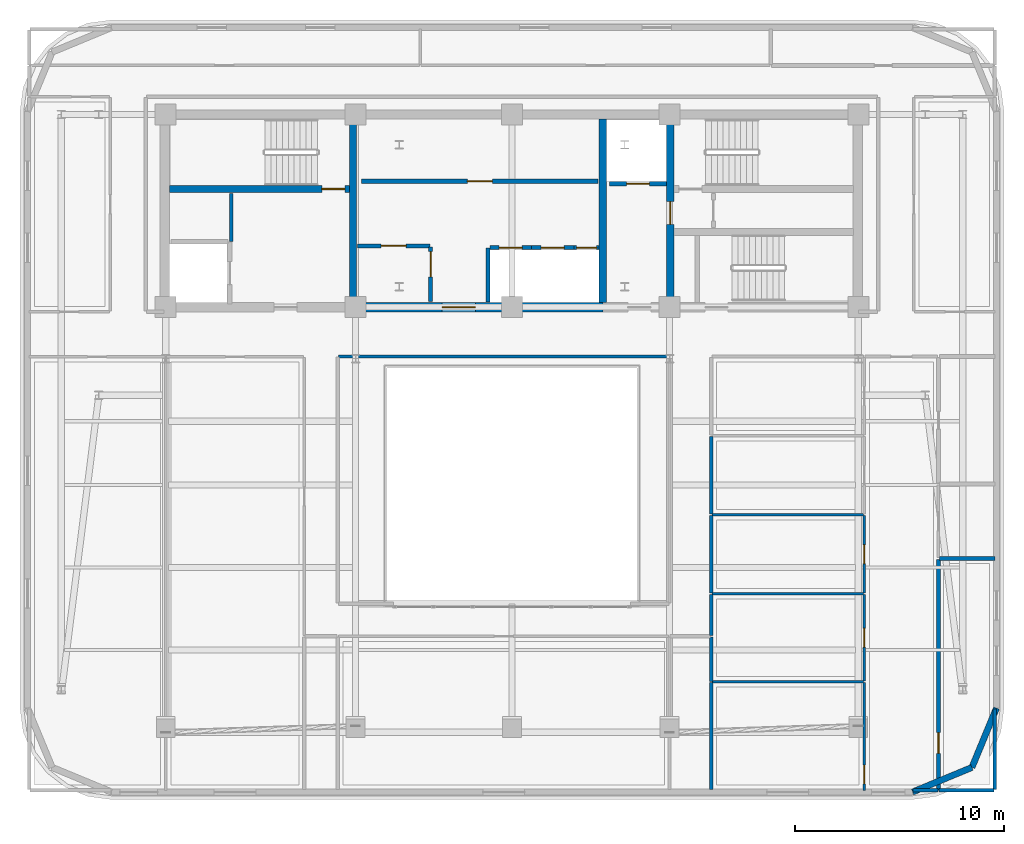
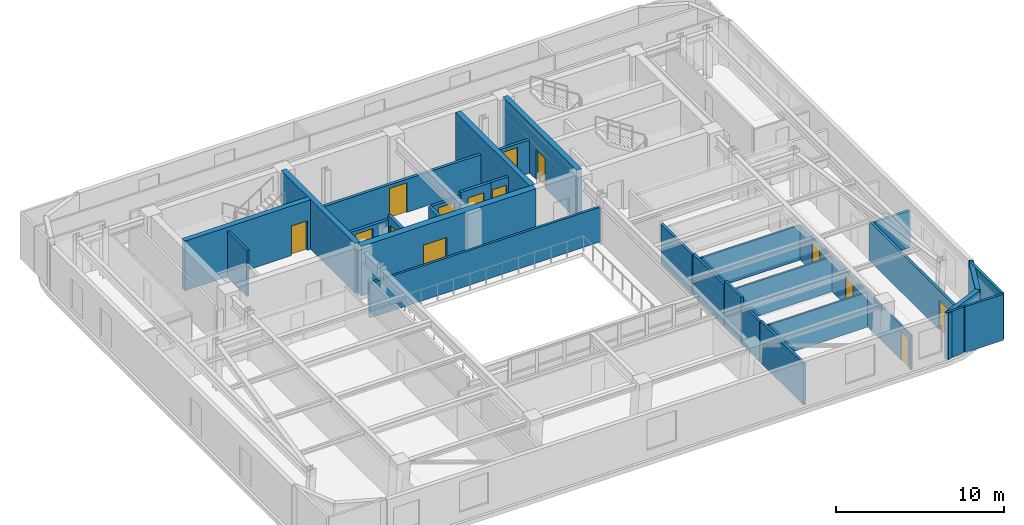
# One storey, part 7 of 13: 33 walls, 14 doors, 14 openings.
"""IFC4 building model written with IfcOpenShell, lengths in metres."""

from ifc_helpers import new_model, si_unit, direction, frame, frame_2d, origin, place, context, subcontext, project, spatial, rectangle, extrude, material, layer, layer_set, type_object, element, fill, save


model = new_model("IFC4")

# Units and contexts
model_context = context("Model", 3, precision=1e-05, world=origin(), true_north=direction((0.0, 1.0)))
body_context = subcontext(model_context, "Body", "Model", "MODEL_VIEW")
ifc_project = project(units=[si_unit("LENGTHUNIT", "METRE"), si_unit("AREAUNIT", "SQUARE_METRE"), si_unit("VOLUMEUNIT", "CUBIC_METRE"), si_unit("PLANEANGLEUNIT", "RADIAN"), si_unit("MASSUNIT", "GRAM", prefix="KILO")], contexts=[model_context])

# Site, building, storey
site_placement = place(None, origin())
site = spatial("IfcSite", under=ifc_project, at=site_placement, CompositionType="ELEMENT")
building_placement = place(site_placement, origin())
building = spatial("IfcBuilding", under=site, at=building_placement, Name="Zarnavel Station Tower", CompositionType="ELEMENT")
storey_placement = place(building_placement, frame((0.0, 0.0, 204.0)))
storey = spatial("IfcBuildingStorey", under=building, at=storey_placement, Name="L55", CompositionType="ELEMENT", Elevation=204.0)

# Walls
ifc_material_1 = material(Name="Concrete C50/60", Category="concrete")
ifc_layer_1 = layer(ifc_material_1, 0.35009765625)
ifc_layer_set_1 = layer_set([ifc_layer_1], Name="CW_350")
wall_type_1 = type_object("IfcWallType", Name="CW_350", PredefinedType="SHEAR", material=ifc_layer_set_1)
for number, where, z_axis, x_axis, name in (
    (1, (21.179931640625, 28.044921875, 0.0), (0.0, 0.0, 1.0), (0.0, 1.0, 0.0), "L55 Rear Core Shear Wall DIV-W"),
    (2, (33.14990234375, 28.044921875, 0.0), (0.0, 0.0, 1.0), (0.0, 1.0, 0.0), "L55 Rear Core Shear Wall DIV-E"),
):
    element("IfcWall", number, at=place(storey_placement, frame(where, z_axis=z_axis, x_axis=x_axis)), inside=storey, type_object=wall_type_1, Name=name, PredefinedType="SHEAR", context=body_context, shape_type="SweptSolid", body=[
        extrude(rectangle(XDim=8.780029296875, YDim=0.35009765625, at=frame_2d((4.39013671875, 0.0))), origin(), (0.0, 0.0, 1.0), 3.60009765625),
    ])

# Wall, opening, door
wall_1_placement = place(storey_placement, frame((36.3798828125, 28.044921875, 0.0), z_axis=(0.0, 0.0, 1.0), x_axis=(0.0, 1.0, 0.0)))
wall_1 = element("IfcWall", 3, at=wall_1_placement, inside=storey, type_object=wall_type_1, Name="L55 Rear Core Shear Wall DIV-S2", PredefinedType="SHEAR", context=body_context, shape_type="SweptSolid", body=[
    extrude(rectangle(XDim=8.780029296875, YDim=0.35009765625, at=frame_2d((4.39013671875, 0.0))), origin(), (0.0, 0.0, 1.0), 3.60009765625),
])
opening_1_placement = place(wall_1_placement, frame((3.735107421875, 0.0, 0.0)))
opening_1 = element("IfcOpeningElement", 4, at=opening_1_placement, cuts=wall_1, Name="Opening FD01", PredefinedType="OPENING", context=body_context, shape_type="SweptSolid", body=[
    extrude(rectangle(XDim=1.10009765625, YDim=2.14990234375, at=frame_2d((0.550048828125, 1.074951171875))), frame((0.0, 0.18505859375, 0.0), z_axis=(0.0, -1.0, 0.0), x_axis=(1.0, 0.0, 0.0)), (0.0, 0.0, 1.0), 0.3701171875),
])
ifc_material_2 = material(Name="Painted Galvanised Steel and Hardwood Leaf", Category="steel")
door_type_1 = type_object("IfcDoorType", Name="ID_STAIR_1100", OperationType="NOTDEFINED", PredefinedType="DOOR", material=ifc_material_2)
door_1_placement = place(opening_1_placement, origin())
door_1 = element("IfcDoor", 5, at=door_1_placement, inside=storey, type_object=door_type_1, Name="L55 East Stair Vestibule Fire Door", OperationType="SINGLE_SWING_LEFT", OverallHeight=2.14990234375, OverallWidth=1.10009765625, PredefinedType="DOOR", context=body_context, shape_type="SweptSolid", body=[
    extrude(rectangle(XDim=1.10009765625, YDim=2.14990234375, at=frame_2d((0.550048828125, 1.074951171875))), frame((0.0, 0.02490234375, 0.0), z_axis=(0.0, -1.0, 0.0), x_axis=(1.0, 0.0, 0.0)), (0.0, 0.0, 1.0), 0.050048828125),
])
fill(opening_1, door_1)

wall_2_placement = place(storey_placement, frame((21.0048828125, 33.47998046875, 0.0), z_axis=(0.0, 0.0, 1.0), x_axis=(-1.0, 0.0, 0.0)))
wall_2 = element("IfcWall", 6, at=wall_2_placement, inside=storey, type_object=wall_type_1, Name="L55 Rear Core Shear Wall DIV-H1", PredefinedType="SHEAR", context=body_context, shape_type="SweptSolid", body=[
    extrude(rectangle(XDim=8.6298828125, YDim=0.35009765625, at=frame_2d((4.31494140625, 0.0))), origin(), (0.0, 0.0, 1.0), 3.60009765625),
])
opening_2_placement = place(wall_2_placement, frame((0.219970703125, 0.0, 0.0)))
opening_2 = element("IfcOpeningElement", 7, at=opening_2_placement, cuts=wall_2, Name="Opening FD01", PredefinedType="OPENING", context=body_context, shape_type="SweptSolid", body=[
    extrude(rectangle(XDim=1.10009765625, YDim=2.14990234375, at=frame_2d((0.550048828125, 1.074951171875))), frame((0.0, 0.18505859375, 0.0), z_axis=(0.0, -1.0, 0.0), x_axis=(1.0, 0.0, 0.0)), (0.0, 0.0, 1.0), 0.3701171875),
])
door_2_placement = place(opening_2_placement, origin())
door_2 = element("IfcDoor", 8, at=door_2_placement, inside=storey, type_object=door_type_1, Name="L55 Stair ST1 Lobby Fire Door", OperationType="SINGLE_SWING_LEFT", OverallHeight=2.14990234375, OverallWidth=1.10009765625, PredefinedType="DOOR", context=body_context, shape_type="SweptSolid", body=[
    extrude(rectangle(XDim=1.10009765625, YDim=2.14990234375, at=frame_2d((0.550048828125, 1.074951171875))), frame((0.0, 0.02490234375, 0.0), z_axis=(0.0, -1.0, 0.0), x_axis=(1.0, 0.0, 0.0)), (0.0, 0.0, 1.0), 0.050048828125),
])
fill(opening_2, door_2)

ifc_material_3 = material(Name="Concrete C50/60", Category="concrete")
ifc_layer_2 = layer(ifc_material_3, 0.449951171875)
ifc_layer_set_2 = layer_set([ifc_layer_2], Name="CW_450")
wall_type_2 = type_object("IfcWallType", Name="CW_450", PredefinedType="SHEAR", material=ifc_layer_set_2)
wall_3_placement = place(storey_placement, frame((33.14990234375, 27.820068359375, 0.0), z_axis=(0.0, 0.0, 1.0), x_axis=(-1.0, 0.0, 0.0)))
wall_3 = element("IfcWall", 9, at=wall_3_placement, inside=storey, type_object=wall_type_2, Name="L55 Rear Core Shear Wall S-M", PredefinedType="SHEAR", context=body_context, shape_type="SweptSolid", body=[
    extrude(rectangle(XDim=11.969970703125, YDim=0.449951171875, at=frame_2d((5.98486328125, 0.0))), origin(), (0.0, 0.0, 1.0), 3.60009765625),
])
opening_3_placement = place(wall_3_placement, frame((6.10009765625, 0.0, 0.0)))
opening_3 = element("IfcOpeningElement", 10, at=opening_3_placement, cuts=wall_3, Name="Opening ID03", PredefinedType="OPENING", context=body_context, shape_type="SweptSolid", body=[
    extrude(rectangle(XDim=1.60009765625, YDim=2.199951171875, at=frame_2d((0.800048828125, 1.10009765625))), frame((0.0, 0.23486328125, 0.0), z_axis=(0.0, -1.0, 0.0), x_axis=(1.0, 0.0, 0.0)), (0.0, 0.0, 1.0), 0.469970703125),
])
ifc_material_4 = material(Name="Painted Galvanised Steel and Hardwood Leaf", Category="steel")
door_type_2 = type_object("IfcDoorType", Name="ID_PUBLIC_1600", OperationType="DOUBLE_DOOR_SINGLE_SWING", PredefinedType="DOOR", material=ifc_material_4)
door_3_placement = place(opening_3_placement, origin())
door_3 = element("IfcDoor", 11, at=door_3_placement, inside=storey, type_object=door_type_2, Name="L55 Passenger Lift Lobby Double Door", OperationType="SINGLE_SWING_LEFT", OverallHeight=2.199951171875, OverallWidth=1.60009765625, PredefinedType="DOOR", context=body_context, shape_type="SweptSolid", body=[
    extrude(rectangle(XDim=1.60009765625, YDim=2.199951171875, at=frame_2d((0.800048828125, 1.10009765625))), frame((0.0, 0.02490234375, 0.0), z_axis=(0.0, -1.0, 0.0), x_axis=(1.0, 0.0, 0.0)), (0.0, 0.0, 1.0), 0.050048828125),
])
fill(opening_3, door_3)

# Walls
ifc_material_5 = material(Name="Precast concrete C45/55 (Dark Basalt Finish)", Category="masonry")
ifc_layer_3 = layer(ifc_material_5, 0.300048828125)
ifc_layer_set_3 = layer_set([ifc_layer_3], Name="EW_BASALT_300")
wall_type_3 = type_object("IfcWallType", Name="EW_BASALT_300", PredefinedType="SOLIDWALL", material=ifc_layer_set_3)
wall_4_placement = place(storey_placement, frame((50.842529296875, 5.75732421875, 0.0), z_axis=(0.0, 0.0, 1.0), x_axis=(-0.92389884758, -0.382636798336, 0.0)))
element("IfcWall", 12, at=wall_4_placement, inside=storey, type_object=wall_type_3, Name="L55 Exterior Basalt Masonry Frame Wall 01", PredefinedType="SOLIDWALL", context=body_context, shape_type="SweptSolid", body=[
    extrude(rectangle(XDim=3.07666015625, YDim=0.300048828125, at=frame_2d((1.538330078125, 0.0))), origin(), (0.0, 0.0, 1.0), 3.340087890625),
])
wall_5_placement = place(storey_placement, frame((52.02001953125, 8.60009765625, 0.0), z_axis=(0.0, 0.0, 1.0), x_axis=(-0.382676475685, -0.923882414032, 0.0)))
element("IfcWall", 13, at=wall_5_placement, inside=storey, type_object=wall_type_3, Name="L55 Exterior Basalt Masonry Frame Wall 02", PredefinedType="SOLIDWALL", context=body_context, shape_type="SweptSolid", body=[
    extrude(rectangle(XDim=3.076904296875, YDim=0.300048828125, at=frame_2d((1.53857421875, 0.0))), origin(), (0.0, 0.0, 1.0), 3.340087890625),
])
ifc_material_6 = material(Name="Gypsum Twin-Stud Acoustic Fire Partition", Category="concrete")
ifc_layer_4 = layer(ifc_material_6, 0.159912109375)
ifc_layer_set_4 = layer_set([ifc_layer_4], Name="PT_DEMISE_160")
wall_type_4 = type_object("IfcWallType", Name="PT_DEMISE_160", PredefinedType="PARTITIONING", material=ifc_layer_set_4)
wall_6_placement = place(storey_placement, frame((38.35009765625, 12.090087890625, 0.0), z_axis=(0.0, 0.0, 1.0), x_axis=(0.0, 1.0, 0.0)))
element("IfcWall", 14, at=wall_6_placement, inside=storey, type_object=wall_type_4, Name="L55 Partition COR-AE-UE1B2", PredefinedType="PARTITIONING", context=body_context, shape_type="SweptSolid", body=[
    extrude(rectangle(XDim=1.954833984375, YDim=0.159912109375, at=frame_2d((0.9775390625, 0.0))), origin(), (0.0, 0.0, 1.0), 3.340087890625),
])
wall_7_placement = place(storey_placement, frame((38.35009765625, 14.125, 0.0), z_axis=(0.0, 0.0, 1.0), x_axis=(0.0, 1.0, 0.0)))
element("IfcWall", 15, at=wall_7_placement, inside=storey, type_object=wall_type_4, Name="L55 Partition COR-AE-UE1B3", PredefinedType="PARTITIONING", context=body_context, shape_type="SweptSolid", body=[
    extrude(rectangle(XDim=3.7080078125, YDim=0.159912109375, at=frame_2d((1.85400390625, 0.0))), origin(), (0.0, 0.0, 1.0), 3.010009765625),
])
wall_8_placement = place(storey_placement, frame((38.35009765625, 17.9130859375, 0.0), z_axis=(0.0, 0.0, 1.0), x_axis=(0.0, 1.0, 0.0)))
element("IfcWall", 16, at=wall_8_placement, inside=storey, type_object=wall_type_4, Name="L55 Partition COR-AE-UE1B4", PredefinedType="PARTITIONING", context=body_context, shape_type="SweptSolid", body=[
    extrude(rectangle(XDim=3.7080078125, YDim=0.159912109375, at=frame_2d((1.85400390625, 0.0))), origin(), (0.0, 0.0, 1.0), 2.8798828125),
])
wall_9_placement = place(storey_placement, frame((15.35009765625, 30.9599609375, 0.0), z_axis=(0.0, 0.0, 1.0), x_axis=(0.0, 1.0, 0.0)))
element("IfcWall", 17, at=wall_9_placement, inside=storey, type_object=wall_type_4, Name="L55 Enclosure Wall FFL1", PredefinedType="PARTITIONING", context=body_context, shape_type="SweptSolid", body=[
    extrude(rectangle(XDim=2.31005859375, YDim=0.159912109375, at=frame_2d((1.155029296875, 0.0))), origin(), (0.0, 0.0, 1.0), 3.340087890625),
])
wall_10_placement = place(storey_placement, frame((20.47998046875, 25.449951171875, 0.0), z_axis=(0.0, 0.0, 1.0), x_axis=(1.0, 0.0, 0.0)))
element("IfcWall", 18, at=wall_10_placement, inside=storey, type_object=wall_type_4, Name="L55 Enclosure Wall COR-S", PredefinedType="PARTITIONING", context=body_context, shape_type="SweptSolid", body=[
    extrude(rectangle(XDim=15.840087890625, YDim=0.159912109375, at=frame_2d((7.919921875, 0.0))), origin(), (0.0, 0.0, 1.0), 2.52001953125),
])
wall_11_placement = place(storey_placement, frame((48.030029296875, 4.659912109375, 0.0), z_axis=(0.0, 0.0, 1.0), x_axis=(1.0, 0.0, 0.0)))
element("IfcWall", 19, at=wall_11_placement, inside=storey, type_object=wall_type_4, Name="L55 Enclosure Wall UE1LV", PredefinedType="PARTITIONING", context=body_context, shape_type="SweptSolid", body=[
    extrude(rectangle(XDim=1.179931640625, YDim=0.159912109375, at=frame_2d((0.58984375, 0.0))), origin(), (0.0, 0.0, 1.0), 3.340087890625),
])
wall_12_placement = place(storey_placement, frame((49.27001953125, 4.659912109375, 0.0), z_axis=(0.0, 0.0, 1.0), x_axis=(1.0, 0.0, 0.0)))
element("IfcWall", 20, at=wall_12_placement, inside=storey, type_object=wall_type_4, Name="L55 Enclosure Wall UE1KT", PredefinedType="PARTITIONING", context=body_context, shape_type="SweptSolid", body=[
    extrude(rectangle(XDim=2.639892578125, YDim=0.159912109375, at=frame_2d((1.31982421875, 0.0))), origin(), (0.0, 0.0, 1.0), 3.340087890625),
])
wall_13_placement = place(storey_placement, frame((51.93994140625, 4.68994140625, 0.0), z_axis=(0.0, 0.0, 1.0), x_axis=(0.0, 1.0, 0.0)))
element("IfcWall", 21, at=wall_13_placement, inside=storey, type_object=wall_type_4, Name="L55 Enclosure Wall UE1KT", PredefinedType="PARTITIONING", context=body_context, shape_type="SweptSolid", body=[
    extrude(rectangle(XDim=3.880126953125, YDim=0.159912109375, at=frame_2d((1.93994140625, 0.0))), origin(), (0.0, 0.0, 1.0), 3.340087890625),
])
wall_14_placement = place(storey_placement, frame((38.35009765625, 4.68994140625, 0.0), z_axis=(0.0, 0.0, 1.0), x_axis=(0.0, 1.0, 0.0)))
element("IfcWall", 22, at=wall_14_placement, inside=storey, type_object=wall_type_4, Name="L55 Enclosure Wall UE1B1", PredefinedType="PARTITIONING", context=body_context, shape_type="SweptSolid", body=[
    extrude(rectangle(XDim=5.136962890625, YDim=0.159912109375, at=frame_2d((2.568359375, 0.0))), origin(), (0.0, 0.0, 1.0), 3.0),
])
wall_15_placement = place(storey_placement, frame((38.35009765625, 9.886962890625, 0.0), z_axis=(0.0, 0.0, 1.0), x_axis=(0.0, 1.0, 0.0)))
element("IfcWall", 23, at=wall_15_placement, inside=storey, type_object=wall_type_4, Name="L55 Enclosure Wall UE1B2", PredefinedType="PARTITIONING", context=body_context, shape_type="SweptSolid", body=[
    extrude(rectangle(XDim=2.133056640625, YDim=0.159912109375, at=frame_2d((1.06640625, 0.0))), origin(), (0.0, 0.0, 1.0), 2.8798828125),
])

# Wall, opening, door
ifc_material_7 = material(Name="Gypsum Metal-Stud Interior Partition", Category="concrete")
ifc_layer_5 = layer(ifc_material_7, 0.1201171875)
ifc_layer_set_5 = layer_set([ifc_layer_5], Name="PT_ROOM_120")
wall_type_5 = type_object("IfcWallType", Name="PT_ROOM_120", PredefinedType="PARTITIONING", material=ifc_layer_set_5)
wall_16_placement = place(storey_placement, frame((45.680908203125, 4.659912109375, 0.0), z_axis=(0.0, 0.0, 1.0), x_axis=(0.0, 1.0, 0.0)))
wall_16 = element("IfcWall", 24, at=wall_16_placement, inside=storey, type_object=wall_type_5, Name="L55 Partition UE1LV-UE1B1", PredefinedType="PARTITIONING", context=body_context, shape_type="SweptSolid", body=[
    extrude(rectangle(XDim=5.156982421875, YDim=0.1201171875, at=frame_2d((2.57861328125, 0.0))), origin(), (0.0, 0.0, 1.0), 2.52001953125),
])
opening_4_placement = place(wall_16_placement, frame((0.3056640625, 0.0, 0.0)))
opening_4 = element("IfcOpeningElement", 25, at=opening_4_placement, cuts=wall_16, Name="Opening ID01", PredefinedType="OPENING", context=body_context, shape_type="SweptSolid", body=[
    extrude(rectangle(XDim=0.89990234375, YDim=2.10009765625, at=frame_2d((0.449951171875, 1.050048828125))), frame((0.0, 0.070068359375, 0.0), z_axis=(0.0, -1.0, 0.0), x_axis=(1.0, 0.0, 0.0)), (0.0, 0.0, 1.0), 0.14013671875),
])
ifc_material_8 = material(Name="Painted Galvanised Steel and Hardwood Leaf", Category="steel")
door_type_3 = type_object("IfcDoorType", Name="ID_ROOM_900", OperationType="NOTDEFINED", PredefinedType="DOOR", material=ifc_material_8)
door_4_placement = place(opening_4_placement, origin())
door_4 = element("IfcDoor", 26, at=door_4_placement, inside=storey, type_object=door_type_3, Name="L55 Door UE1LV-UE1B1", OperationType="SINGLE_SWING_LEFT", OverallHeight=2.10009765625, OverallWidth=0.89990234375, PredefinedType="DOOR", context=body_context, shape_type="SweptSolid", body=[
    extrude(rectangle(XDim=0.89990234375, YDim=2.10009765625, at=frame_2d((0.449951171875, 1.050048828125))), frame((0.0, 0.02490234375, 0.0), z_axis=(0.0, -1.0, 0.0), x_axis=(1.0, 0.0, 0.0)), (0.0, 0.0, 1.0), 0.050048828125),
])
fill(opening_4, door_4)

wall_17_placement = place(storey_placement, frame((45.680908203125, 9.89697265625, 0.0), z_axis=(0.0, 0.0, 1.0), x_axis=(0.0, 1.0, 0.0)))
wall_17 = element("IfcWall", 27, at=wall_17_placement, inside=storey, type_object=wall_type_5, Name="L55 Partition UE1LV-UE1B2", PredefinedType="PARTITIONING", context=body_context, shape_type="SweptSolid", body=[
    extrude(rectangle(XDim=4.14794921875, YDim=0.1201171875, at=frame_2d((2.073974609375, 0.0))), origin(), (0.0, 0.0, 1.0), 2.52001953125),
])
opening_5_placement = place(wall_17_placement, frame((1.6240234375, 0.0, 0.0)))
opening_5 = element("IfcOpeningElement", 28, at=opening_5_placement, cuts=wall_17, Name="Opening ID01", PredefinedType="OPENING", context=body_context, shape_type="SweptSolid", body=[
    extrude(rectangle(XDim=0.89990234375, YDim=2.10009765625, at=frame_2d((0.449951171875, 1.050048828125))), frame((0.0, 0.070068359375, 0.0), z_axis=(0.0, -1.0, 0.0), x_axis=(1.0, 0.0, 0.0)), (0.0, 0.0, 1.0), 0.14013671875),
])
door_5_placement = place(opening_5_placement, origin())
door_5 = element("IfcDoor", 29, at=door_5_placement, inside=storey, type_object=door_type_3, Name="L55 Door UE1LV-UE1B2", OperationType="SINGLE_SWING_RIGHT", OverallHeight=2.10009765625, OverallWidth=0.89990234375, PredefinedType="DOOR", context=body_context, shape_type="SweptSolid", body=[
    extrude(rectangle(XDim=0.89990234375, YDim=2.10009765625, at=frame_2d((0.449951171875, 1.050048828125))), frame((0.0, 0.02490234375, 0.0), z_axis=(0.0, -1.0, 0.0), x_axis=(1.0, 0.0, 0.0)), (0.0, 0.0, 1.0), 0.050048828125),
])
fill(opening_5, door_5)

wall_18_placement = place(storey_placement, frame((45.680908203125, 14.125, 0.0), z_axis=(0.0, 0.0, 1.0), x_axis=(0.0, 1.0, 0.0)))
wall_18 = element("IfcWall", 30, at=wall_18_placement, inside=storey, type_object=wall_type_5, Name="L55 Partition UE1LV-UE1B3", PredefinedType="PARTITIONING", context=body_context, shape_type="SweptSolid", body=[
    extrude(rectangle(XDim=3.7080078125, YDim=0.1201171875, at=frame_2d((1.85400390625, 0.0))), origin(), (0.0, 0.0, 1.0), 2.52001953125),
])
opening_6_placement = place(wall_18_placement, frame((1.404052734375, 0.0, 0.0)))
opening_6 = element("IfcOpeningElement", 31, at=opening_6_placement, cuts=wall_18, Name="Opening ID01", PredefinedType="OPENING", context=body_context, shape_type="SweptSolid", body=[
    extrude(rectangle(XDim=0.89990234375, YDim=2.10009765625, at=frame_2d((0.449951171875, 1.050048828125))), frame((0.0, 0.070068359375, 0.0), z_axis=(0.0, -1.0, 0.0), x_axis=(1.0, 0.0, 0.0)), (0.0, 0.0, 1.0), 0.14013671875),
])
door_6_placement = place(opening_6_placement, origin())
door_6 = element("IfcDoor", 32, at=door_6_placement, inside=storey, type_object=door_type_3, Name="L55 Door UE1LV-UE1B3", OperationType="SINGLE_SWING_LEFT", OverallHeight=2.10009765625, OverallWidth=0.89990234375, PredefinedType="DOOR", context=body_context, shape_type="SweptSolid", body=[
    extrude(rectangle(XDim=0.89990234375, YDim=2.10009765625, at=frame_2d((0.449951171875, 1.050048828125))), frame((0.0, 0.02490234375, 0.0), z_axis=(0.0, -1.0, 0.0), x_axis=(1.0, 0.0, 0.0)), (0.0, 0.0, 1.0), 0.050048828125),
])
fill(opening_6, door_6)

# Walls
for number, where, z_axis, x_axis, name in (
    (33, (38.389892578125, 9.85693359375, 0.0), (0.0, 0.0, 1.0), (1.0, 0.0, 0.0), "L55 Partition UE1B1-UE1B2"),
    (34, (38.389892578125, 14.0849609375, 0.0), (0.0, 0.0, 1.0), (1.0, 0.0, 0.0), "L55 Partition UE1B2-UE1B3"),
    (35, (38.389892578125, 17.873046875, 0.0), (0.0, 0.0, 1.0), (1.0, 0.0, 0.0), "L55 Partition UE1B3-UE1B4"),
):
    element("IfcWall", number, at=place(storey_placement, frame(where, z_axis=z_axis, x_axis=x_axis)), inside=storey, type_object=wall_type_5, Name=name, PredefinedType="PARTITIONING", context=body_context, shape_type="SweptSolid", body=[
        extrude(rectangle(XDim=7.251220703125, YDim=0.1201171875, at=frame_2d((3.62548828125, 0.0))), origin(), (0.0, 0.0, 1.0), 2.52001953125),
    ])

# Wall, opening, door
ifc_material_9 = material(Name="Precast concrete C45/55 (Fire Shaft Blockwork)", Category="masonry")
ifc_layer_6 = layer(ifc_material_9, 0.199951171875)
ifc_layer_set_6 = layer_set([ifc_layer_6], Name="PT_SHAFT_200")
wall_type_6 = type_object("IfcWallType", Name="PT_SHAFT_200", PredefinedType="PARTITIONING", material=ifc_layer_set_6)
wall_19_placement = place(storey_placement, frame((33.47509765625, 33.72998046875, 0.0), z_axis=(0.0, 0.0, 1.0), x_axis=(1.0, 0.0, 0.0)))
wall_19 = element("IfcWall", 36, at=wall_19_placement, inside=storey, type_object=wall_type_6, Name="L55 Lift FFL-02 Shaft Front Wall", PredefinedType="PARTITIONING", context=body_context, shape_type="SweptSolid", body=[
    extrude(rectangle(XDim=2.724853515625, YDim=0.199951171875, at=frame_2d((1.3623046875, 0.0))), origin(), (0.0, 0.0, 1.0), 2.409912109375),
])
opening_7_placement = place(wall_19_placement, frame((0.8125, 0.0, 0.0)))
opening_7 = element("IfcOpeningElement", 37, at=opening_7_placement, cuts=wall_19, Name="Opening LD01", PredefinedType="OPENING", context=body_context, shape_type="SweptSolid", body=[
    extrude(rectangle(XDim=1.10009765625, YDim=2.14990234375, at=frame_2d((0.550048828125, 1.074951171875))), frame((0.0, 0.10986328125, 0.0), z_axis=(0.0, -1.0, 0.0), x_axis=(1.0, 0.0, 0.0)), (0.0, 0.0, 1.0), 0.219970703125),
])
ifc_material_10 = material(Name="Painted Galvanised Steel and Hardwood Leaf", Category="steel")
door_type_4 = type_object("IfcDoorType", Name="LD_FF_1100", OperationType="DOUBLE_DOOR_SLIDING", PredefinedType="DOOR", material=ifc_material_10)
door_7_placement = place(opening_7_placement, origin())
door_7 = element("IfcDoor", 38, at=door_7_placement, inside=storey, type_object=door_type_4, Name="L55 Lift FFL-02 Sliding Landing Door", OperationType="DOUBLE_DOOR_SLIDING", OverallHeight=2.14990234375, OverallWidth=1.10009765625, PredefinedType="DOOR", context=body_context, shape_type="SweptSolid", body=[
    extrude(rectangle(XDim=1.10009765625, YDim=2.14990234375, at=frame_2d((0.550048828125, 1.074951171875))), frame((0.0, 0.02490234375, 0.0), z_axis=(0.0, -1.0, 0.0), x_axis=(1.0, 0.0, 0.0)), (0.0, 0.0, 1.0), 0.050048828125),
])
fill(opening_7, door_7)

wall_20_placement = place(storey_placement, frame((27.75, 30.669921875, 0.0), z_axis=(0.0, 0.0, 1.0), x_axis=(1.0, 0.0, 0.0)))
wall_20 = element("IfcWall", 39, at=wall_20_placement, inside=storey, type_object=wall_type_6, Name="L55 Lift PL-H1 Shaft Front Wall", PredefinedType="PARTITIONING", context=body_context, shape_type="SweptSolid", body=[
    extrude(rectangle(XDim=1.97509765625, YDim=0.199951171875, at=frame_2d((0.987548828125, 0.0))), origin(), (0.0, 0.0, 1.0), 2.409912109375),
])
opening_8_placement = place(wall_20_placement, frame((0.4375, 0.0, 0.0)))
opening_8 = element("IfcOpeningElement", 40, at=opening_8_placement, cuts=wall_20, Name="Opening LD02", PredefinedType="OPENING", context=body_context, shape_type="SweptSolid", body=[
    extrude(rectangle(XDim=1.10009765625, YDim=2.14990234375, at=frame_2d((0.550048828125, 1.074951171875))), frame((0.0, 0.10986328125, 0.0), z_axis=(0.0, -1.0, 0.0), x_axis=(1.0, 0.0, 0.0)), (0.0, 0.0, 1.0), 0.219970703125),
])
ifc_material_11 = material(Name="Painted Galvanised Steel and Hardwood Leaf", Category="steel")
door_type_5 = type_object("IfcDoorType", Name="LD_PAX_1100", OperationType="DOUBLE_DOOR_SLIDING", PredefinedType="DOOR", material=ifc_material_11)
door_8_placement = place(opening_8_placement, origin())
door_8 = element("IfcDoor", 41, at=door_8_placement, inside=storey, type_object=door_type_5, Name="L55 Lift PL-H1 Sliding Landing Door", OperationType="DOUBLE_DOOR_SLIDING", OverallHeight=2.14990234375, OverallWidth=1.10009765625, PredefinedType="DOOR", context=body_context, shape_type="SweptSolid", body=[
    extrude(rectangle(XDim=1.10009765625, YDim=2.14990234375, at=frame_2d((0.550048828125, 1.074951171875))), frame((0.0, 0.02490234375, 0.0), z_axis=(0.0, -1.0, 0.0), x_axis=(1.0, 0.0, 0.0)), (0.0, 0.0, 1.0), 0.050048828125),
])
fill(opening_8, door_8)

# Wall
wall_21_placement = place(storey_placement, frame((27.64990234375, 28.070068359375, 0.0), z_axis=(0.0, 0.0, 1.0), x_axis=(0.0, 1.0, 0.0)))
element("IfcWall", 42, at=wall_21_placement, inside=storey, type_object=wall_type_6, Name="L55 High-Rise Lift Bank West Shaft Wall", PredefinedType="PARTITIONING", context=body_context, shape_type="SweptSolid", body=[
    extrude(rectangle(XDim=2.579833984375, YDim=0.199951171875, at=frame_2d((1.2900390625, 0.0))), origin(), (0.0, 0.0, 1.0), 2.409912109375),
])

# Wall, opening, door
wall_22_placement = place(storey_placement, frame((29.72509765625, 30.669921875, 0.0), z_axis=(0.0, 0.0, 1.0), x_axis=(1.0, 0.0, 0.0)))
wall_22 = element("IfcWall", 43, at=wall_22_placement, inside=storey, type_object=wall_type_6, Name="L55 Lift PL-H2 Shaft Front Wall", PredefinedType="PARTITIONING", context=body_context, shape_type="SweptSolid", body=[
    extrude(rectangle(XDim=2.0498046875, YDim=0.199951171875, at=frame_2d((1.02490234375, 0.0))), origin(), (0.0, 0.0, 1.0), 2.719970703125),
])
opening_9_placement = place(wall_22_placement, frame((0.47509765625, 0.0, 0.0)))
opening_9 = element("IfcOpeningElement", 44, at=opening_9_placement, cuts=wall_22, Name="Opening LD02", PredefinedType="OPENING", context=body_context, shape_type="SweptSolid", body=[
    extrude(rectangle(XDim=1.10009765625, YDim=2.14990234375, at=frame_2d((0.550048828125, 1.074951171875))), frame((0.0, 0.10986328125, 0.0), z_axis=(0.0, -1.0, 0.0), x_axis=(1.0, 0.0, 0.0)), (0.0, 0.0, 1.0), 0.219970703125),
])
door_9_placement = place(opening_9_placement, origin())
door_9 = element("IfcDoor", 45, at=door_9_placement, inside=storey, type_object=door_type_5, Name="L55 Lift PL-H2 Sliding Landing Door", OperationType="DOUBLE_DOOR_SLIDING", OverallHeight=2.14990234375, OverallWidth=1.10009765625, PredefinedType="DOOR", context=body_context, shape_type="SweptSolid", body=[
    extrude(rectangle(XDim=1.10009765625, YDim=2.14990234375, at=frame_2d((0.550048828125, 1.074951171875))), frame((0.0, 0.02490234375, 0.0), z_axis=(0.0, -1.0, 0.0), x_axis=(1.0, 0.0, 0.0)), (0.0, 0.0, 1.0), 0.050048828125),
])
fill(opening_9, door_9)

wall_23_placement = place(storey_placement, frame((31.77490234375, 30.669921875, 0.0), z_axis=(0.0, 0.0, 1.0), x_axis=(1.0, 0.0, 0.0)))
wall_23 = element("IfcWall", 46, at=wall_23_placement, inside=storey, type_object=wall_type_6, Name="L55 Lift PL-H3 Shaft Front Wall", PredefinedType="PARTITIONING", context=body_context, shape_type="SweptSolid", body=[
    extrude(rectangle(XDim=1.2001953125, YDim=0.199951171875, at=frame_2d((0.60009765625, 0.0))), origin(), (0.0, 0.0, 1.0), 2.719970703125),
])
opening_10_placement = place(wall_23_placement, frame((0.125, 0.0, 0.0)))
opening_10 = element("IfcOpeningElement", 47, at=opening_10_placement, cuts=wall_23, Name="Opening LD03", PredefinedType="OPENING", context=body_context, shape_type="SweptSolid", body=[
    extrude(rectangle(XDim=0.949951171875, YDim=2.14990234375, at=frame_2d((0.47509765625, 1.074951171875))), frame((0.0, 0.10986328125, 0.0), z_axis=(0.0, -1.0, 0.0), x_axis=(1.0, 0.0, 0.0)), (0.0, 0.0, 1.0), 0.219970703125),
])
ifc_material_12 = material(Name="Painted Galvanised Steel and Hardwood Leaf", Category="steel")
door_type_6 = type_object("IfcDoorType", Name="LD_PAX_0950", OperationType="DOUBLE_DOOR_SLIDING", PredefinedType="DOOR", material=ifc_material_12)
door_10_placement = place(opening_10_placement, origin())
door_10 = element("IfcDoor", 48, at=door_10_placement, inside=storey, type_object=door_type_6, Name="L55 Lift PL-H3 Sliding Landing Door", OperationType="DOUBLE_DOOR_SLIDING", OverallHeight=2.14990234375, OverallWidth=0.949951171875, PredefinedType="DOOR", context=body_context, shape_type="SweptSolid", body=[
    extrude(rectangle(XDim=0.949951171875, YDim=2.14990234375, at=frame_2d((0.47509765625, 1.074951171875))), frame((0.0, 0.02490234375, 0.0), z_axis=(0.0, -1.0, 0.0), x_axis=(1.0, 0.0, 0.0)), (0.0, 0.0, 1.0), 0.050048828125),
])
fill(opening_10, door_10)

wall_24_placement = place(storey_placement, frame((21.39990234375, 30.75, 0.0), z_axis=(0.0, 0.0, 1.0), x_axis=(1.0, 0.0, 0.0)))
wall_24 = element("IfcWall", 49, at=wall_24_placement, inside=storey, type_object=wall_type_6, Name="L55 Partition LLOB-CS1", PredefinedType="PARTITIONING", context=body_context, shape_type="SweptSolid", body=[
    extrude(rectangle(XDim=3.460205078125, YDim=0.199951171875, at=frame_2d((1.72998046875, 0.0))), origin(), (0.0, 0.0, 1.0), 2.409912109375),
])
opening_11_placement = place(wall_24_placement, frame((1.1298828125, 0.0, 0.0)))
opening_11 = element("IfcOpeningElement", 50, at=opening_11_placement, cuts=wall_24, Name="Opening FD03", PredefinedType="OPENING", context=body_context, shape_type="SweptSolid", body=[
    extrude(rectangle(XDim=1.199951171875, YDim=2.14990234375, at=frame_2d((0.60009765625, 1.074951171875))), frame((0.0, 0.10986328125, 0.0), z_axis=(0.0, -1.0, 0.0), x_axis=(1.0, 0.0, 0.0)), (0.0, 0.0, 1.0), 0.219970703125),
])
ifc_material_13 = material(Name="Painted Galvanised Steel and Hardwood Leaf", Category="steel")
door_type_7 = type_object("IfcDoorType", Name="ID_PLANT_1200", OperationType="NOTDEFINED", PredefinedType="DOOR", material=ifc_material_13)
door_11_placement = place(opening_11_placement, origin())
door_11 = element("IfcDoor", 51, at=door_11_placement, inside=storey, type_object=door_type_7, Name="L55 Door LLOB-CS1", OperationType="SINGLE_SWING_LEFT", OverallHeight=2.14990234375, OverallWidth=1.199951171875, PredefinedType="DOOR", context=body_context, shape_type="SweptSolid", body=[
    extrude(rectangle(XDim=1.199951171875, YDim=2.14990234375, at=frame_2d((0.60009765625, 1.074951171875))), frame((0.0, 0.02490234375, 0.0), z_axis=(0.0, -1.0, 0.0), x_axis=(1.0, 0.0, 0.0)), (0.0, 0.0, 1.0), 0.050048828125),
])
fill(opening_11, door_11)

wall_25_placement = place(storey_placement, frame((21.590087890625, 33.85009765625, 0.0), z_axis=(0.0, 0.0, 1.0), x_axis=(1.0, 0.0, 0.0)))
wall_25 = element("IfcWall", 52, at=wall_25_placement, inside=storey, type_object=wall_type_6, Name="L55 Partition LLOB-FB2A", PredefinedType="PARTITIONING", context=body_context, shape_type="SweptSolid", body=[
    extrude(rectangle(XDim=11.33984375, YDim=0.199951171875, at=frame_2d((5.669921875, 0.0))), origin(), (0.0, 0.0, 1.0), 2.409912109375),
])
opening_12_placement = place(wall_25_placement, frame((5.070068359375, 0.0, 0.0)))
opening_12 = element("IfcOpeningElement", 53, at=opening_12_placement, cuts=wall_25, Name="Opening FD03", PredefinedType="OPENING", context=body_context, shape_type="SweptSolid", body=[
    extrude(rectangle(XDim=1.199951171875, YDim=2.14990234375, at=frame_2d((0.60009765625, 1.074951171875))), frame((0.0, 0.10986328125, 0.0), z_axis=(0.0, -1.0, 0.0), x_axis=(1.0, 0.0, 0.0)), (0.0, 0.0, 1.0), 0.219970703125),
])
door_12_placement = place(opening_12_placement, origin())
door_12 = element("IfcDoor", 54, at=door_12_placement, inside=storey, type_object=door_type_7, Name="L55 Door LLOB-FB2A", OperationType="SINGLE_SWING_RIGHT", OverallHeight=2.14990234375, OverallWidth=1.199951171875, PredefinedType="DOOR", context=body_context, shape_type="SweptSolid", body=[
    extrude(rectangle(XDim=1.199951171875, YDim=2.14990234375, at=frame_2d((0.60009765625, 1.074951171875))), frame((0.0, 0.02490234375, 0.0), z_axis=(0.0, -1.0, 0.0), x_axis=(1.0, 0.0, 0.0)), (0.0, 0.0, 1.0), 0.050048828125),
])
fill(opening_12, door_12)

wall_26_placement = place(storey_placement, frame((24.89990234375, 30.7099609375, 0.0), z_axis=(0.0, 0.0, 1.0), x_axis=(0.0, -1.0, 0.0)))
wall_26 = element("IfcWall", 55, at=wall_26_placement, inside=storey, type_object=wall_type_6, Name="L55 Partition LLOBS-CS1", PredefinedType="PARTITIONING", context=body_context, shape_type="SweptSolid", body=[
    extrude(rectangle(XDim=2.619873046875, YDim=0.199951171875, at=frame_2d((1.31005859375, 0.0))), origin(), (0.0, 0.0, 1.0), 2.719970703125),
])
opening_13_placement = place(wall_26_placement, frame((0.235107421875, 0.0, 0.0)))
opening_13 = element("IfcOpeningElement", 56, at=opening_13_placement, cuts=wall_26, Name="Opening FD03", PredefinedType="OPENING", context=body_context, shape_type="SweptSolid", body=[
    extrude(rectangle(XDim=1.199951171875, YDim=2.14990234375, at=frame_2d((0.60009765625, 1.074951171875))), frame((0.0, 0.10986328125, 0.0), z_axis=(0.0, -1.0, 0.0), x_axis=(1.0, 0.0, 0.0)), (0.0, 0.0, 1.0), 0.219970703125),
])
door_13_placement = place(opening_13_placement, origin())
door_13 = element("IfcDoor", 57, at=door_13_placement, inside=storey, type_object=door_type_7, Name="L55 Door LLOBS-CS1", OperationType="SINGLE_SWING_LEFT", OverallHeight=2.14990234375, OverallWidth=1.199951171875, PredefinedType="DOOR", context=body_context, shape_type="SweptSolid", body=[
    extrude(rectangle(XDim=1.199951171875, YDim=2.14990234375, at=frame_2d((0.60009765625, 1.074951171875))), frame((0.0, 0.02490234375, 0.0), z_axis=(0.0, -1.0, 0.0), x_axis=(1.0, 0.0, 0.0)), (0.0, 0.0, 1.0), 0.050048828125),
])
fill(opening_13, door_13)

ifc_material_14 = material(Name="Moisture-Resistant Plumbing Chase Wall", Category="concrete")
ifc_layer_7 = layer(ifc_material_14, 0.179931640625)
ifc_layer_set_7 = layer_set([ifc_layer_7], Name="PW_PLUMB_180")
wall_type_7 = type_object("IfcWallType", Name="PW_PLUMB_180", PredefinedType="PLUMBINGWALL", material=ifc_layer_set_7)
wall_27_placement = place(storey_placement, frame((49.239990234375, 4.659912109375, 0.0), z_axis=(0.0, 0.0, 1.0), x_axis=(0.0, 1.0, 0.0)))
wall_27 = element("IfcWall", 58, at=wall_27_placement, inside=storey, type_object=wall_type_7, Name="L55 Partition UE1LV-UE1KT", PredefinedType="PLUMBINGWALL", context=body_context, shape_type="SweptSolid", body=[
    extrude(rectangle(XDim=11.071044921875, YDim=0.179931640625, at=frame_2d((5.53564453125, 0.0))), origin(), (0.0, 0.0, 1.0), 2.820068359375),
])
opening_14_placement = place(wall_27_placement, frame((1.771728515625, 0.0, 0.0)))
opening_14 = element("IfcOpeningElement", 59, at=opening_14_placement, cuts=wall_27, Name="Opening FD02", PredefinedType="OPENING", context=body_context, shape_type="SweptSolid", body=[
    extrude(rectangle(XDim=1.0, YDim=2.14990234375, at=frame_2d((0.5, 1.074951171875))), frame((0.0, 0.099853515625, 0.0), z_axis=(0.0, -1.0, 0.0), x_axis=(1.0, 0.0, 0.0)), (0.0, 0.0, 1.0), 0.199951171875),
])
ifc_material_15 = material(Name="Painted Galvanised Steel and Hardwood Leaf", Category="steel")
door_type_8 = type_object("IfcDoorType", Name="ID_ENTRY_1000", OperationType="NOTDEFINED", PredefinedType="DOOR", material=ifc_material_15)
door_14_placement = place(opening_14_placement, origin())
door_14 = element("IfcDoor", 60, at=door_14_placement, inside=storey, type_object=door_type_8, Name="L55 Door UE1LV-UE1KT", OperationType="SINGLE_SWING_RIGHT", OverallHeight=2.14990234375, OverallWidth=1.0, PredefinedType="DOOR", context=body_context, shape_type="SweptSolid", body=[
    extrude(rectangle(XDim=1.0, YDim=2.14990234375, at=frame_2d((0.5, 1.074951171875))), frame((0.0, 0.02490234375, 0.0), z_axis=(0.0, -1.0, 0.0), x_axis=(1.0, 0.0, 0.0)), (0.0, 0.0, 1.0), 0.050048828125),
])
fill(opening_14, door_14)

# Wall
wall_28_placement = place(storey_placement, frame((49.280029296875, 15.77099609375, 0.0), z_axis=(0.0, 0.0, 1.0), x_axis=(1.0, 0.0, 0.0)))
element("IfcWall", 61, at=wall_28_placement, inside=storey, type_object=wall_type_7, Name="L55 Partition UE1KT-UE1UT", PredefinedType="PLUMBINGWALL", context=body_context, shape_type="SweptSolid", body=[
    extrude(rectangle(XDim=2.659912109375, YDim=0.179931640625, at=frame_2d((1.330078125, 0.0))), origin(), (0.0, 0.0, 1.0), 2.669921875),
])

save(model, "model.ifc")
